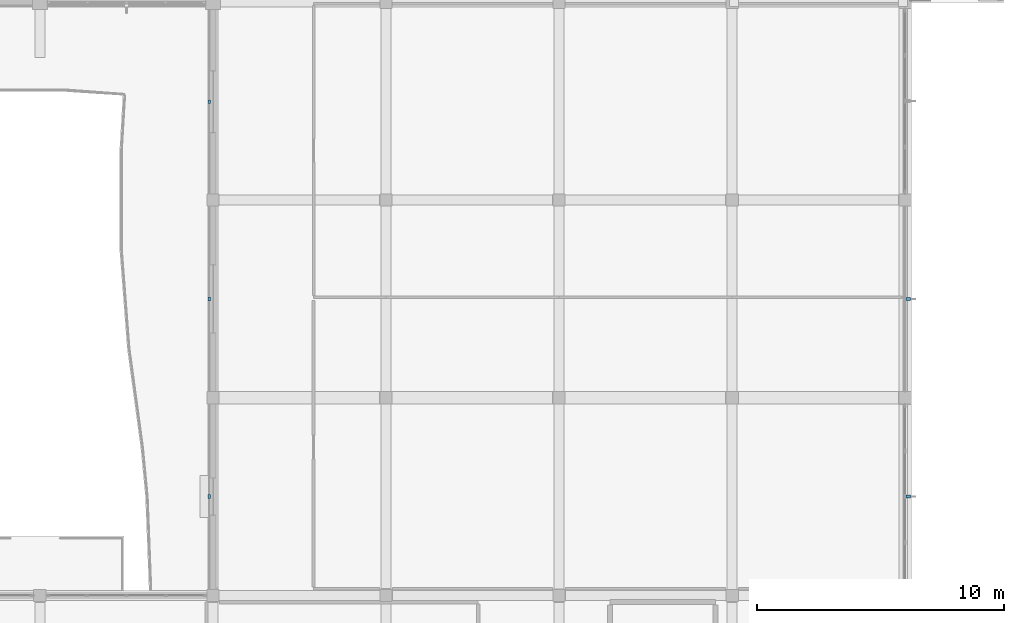
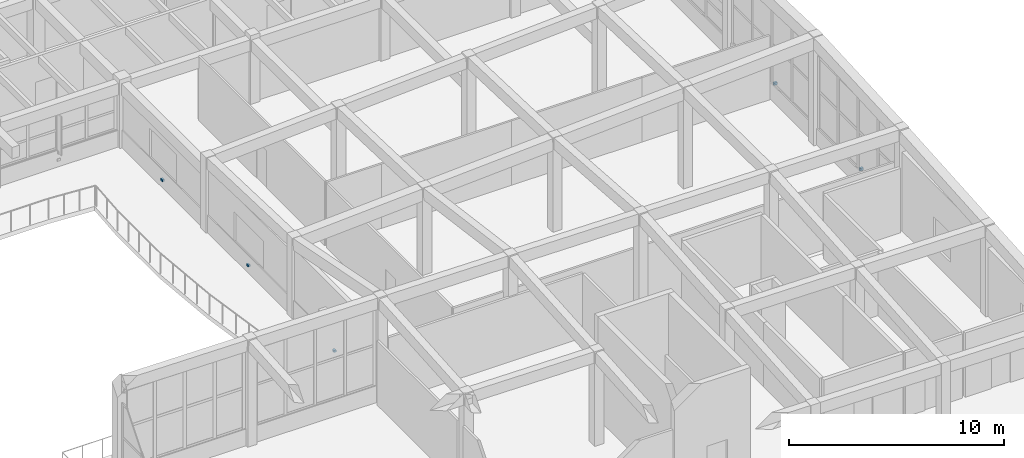
# One storey, part 74 of 89: 5 discrete accessories.
"""IFC4 building model written with IfcOpenShell, lengths in metres."""

from ifc_helpers import new_model, si_unit, direction, frame, origin, origin_2d, place, context, subcontext, project, spatial, rectangle, extrude, material, type_object, element, save


model = new_model("IFC4")

# Units and contexts
model_context = context("Model", 3, precision=1e-05, world=origin(), true_north=direction((0.0, 1.0)))
body_context = subcontext(model_context, "Body", "Model", "MODEL_VIEW")
ifc_project = project(units=[si_unit("LENGTHUNIT", "METRE"), si_unit("AREAUNIT", "SQUARE_METRE"), si_unit("VOLUMEUNIT", "CUBIC_METRE"), si_unit("PLANEANGLEUNIT", "RADIAN"), si_unit("MASSUNIT", "GRAM", prefix="KILO")], contexts=[model_context])

# Site, building, storey
site_placement = place(None, origin())
site = spatial("IfcSite", under=ifc_project, at=site_placement, CompositionType="ELEMENT")
building_placement = place(site_placement, origin())
building = spatial("IfcBuilding", under=site, at=building_placement, Name="Tonlespit Floodbar School", CompositionType="ELEMENT")
storey_placement = place(building_placement, frame((0.0, 0.0, 4.5)))
storey = spatial("IfcBuildingStorey", under=building, at=storey_placement, Name="L01", CompositionType="ELEMENT", Elevation=4.5)

# Discrete accessories
ifc_material = material(Name="Galvanised Steel", Category="steel")
discrete_accessory_type = type_object("IfcDiscreteAccessoryType", Name="Bracket_Facade_S355", PredefinedType="BRACKET", material=ifc_material)
discrete_accessory_1_placement = place(storey_placement, frame((147.85009765625, 99.97509765625, 0.3798828125), z_axis=(0.0, 0.0, 1.0), x_axis=(0.0, 1.0, 0.0)))
element("IfcDiscreteAccessory", 1, at=discrete_accessory_1_placement, inside=storey, type_object=discrete_accessory_type, Name="L01 white band support bracket 0661", PredefinedType="BRACKET", context=body_context, shape_type="SweptSolid", body=[
    extrude(rectangle(XDim=0.159912109375, YDim=0.1201171875, at=origin_2d()), origin(), (0.0, 0.0, 1.0), 0.1201171875),
])
discrete_accessory_2_placement = place(storey_placement, frame((176.132568359375, 92.0, 0.7802734375), z_axis=(0.0, 0.0, 1.0), x_axis=(0.0, -1.0, 0.0)))
element("IfcDiscreteAccessory", 2, at=discrete_accessory_2_placement, inside=storey, type_object=discrete_accessory_type, Name="Solar fin support bracket 264", PredefinedType="BRACKET", context=body_context, shape_type="SweptSolid", body=[
    extrude(rectangle(XDim=0.1201171875, YDim=0.179931640625, at=origin_2d()), origin(), (0.0, 0.0, 1.0), 0.139892578125),
])
discrete_accessory_3_placement = place(storey_placement, frame((147.85009765625, 92.0, 0.3798828125), z_axis=(0.0, 0.0, 1.0), x_axis=(0.0, 1.0, 0.0)))
element("IfcDiscreteAccessory", 3, at=discrete_accessory_3_placement, inside=storey, type_object=discrete_accessory_type, Name="L01 white band support bracket 0662", PredefinedType="BRACKET", context=body_context, shape_type="SweptSolid", body=[
    extrude(rectangle(XDim=0.159912109375, YDim=0.1201171875, at=origin_2d()), origin(), (0.0, 0.0, 1.0), 0.1201171875),
])
discrete_accessory_4_placement = place(storey_placement, frame((176.132568359375, 84.0, 0.7802734375), z_axis=(0.0, 0.0, 1.0), x_axis=(0.0, -1.0, 0.0)))
element("IfcDiscreteAccessory", 4, at=discrete_accessory_4_placement, inside=storey, type_object=discrete_accessory_type, Name="Solar fin support bracket 265", PredefinedType="BRACKET", context=body_context, shape_type="SweptSolid", body=[
    extrude(rectangle(XDim=0.1201171875, YDim=0.179931640625, at=origin_2d()), origin(), (0.0, 0.0, 1.0), 0.139892578125),
])
discrete_accessory_5_placement = place(storey_placement, frame((147.85009765625, 84.0, 0.3798828125), z_axis=(0.0, 0.0, 1.0), x_axis=(0.0, 1.0, 0.0)))
element("IfcDiscreteAccessory", 5, at=discrete_accessory_5_placement, inside=storey, type_object=discrete_accessory_type, Name="L01 white band support bracket 0663", PredefinedType="BRACKET", context=body_context, shape_type="SweptSolid", body=[
    extrude(rectangle(XDim=0.159912109375, YDim=0.1201171875, at=origin_2d()), origin(), (0.0, 0.0, 1.0), 0.1201171875),
])

save(model, "model.ifc")
